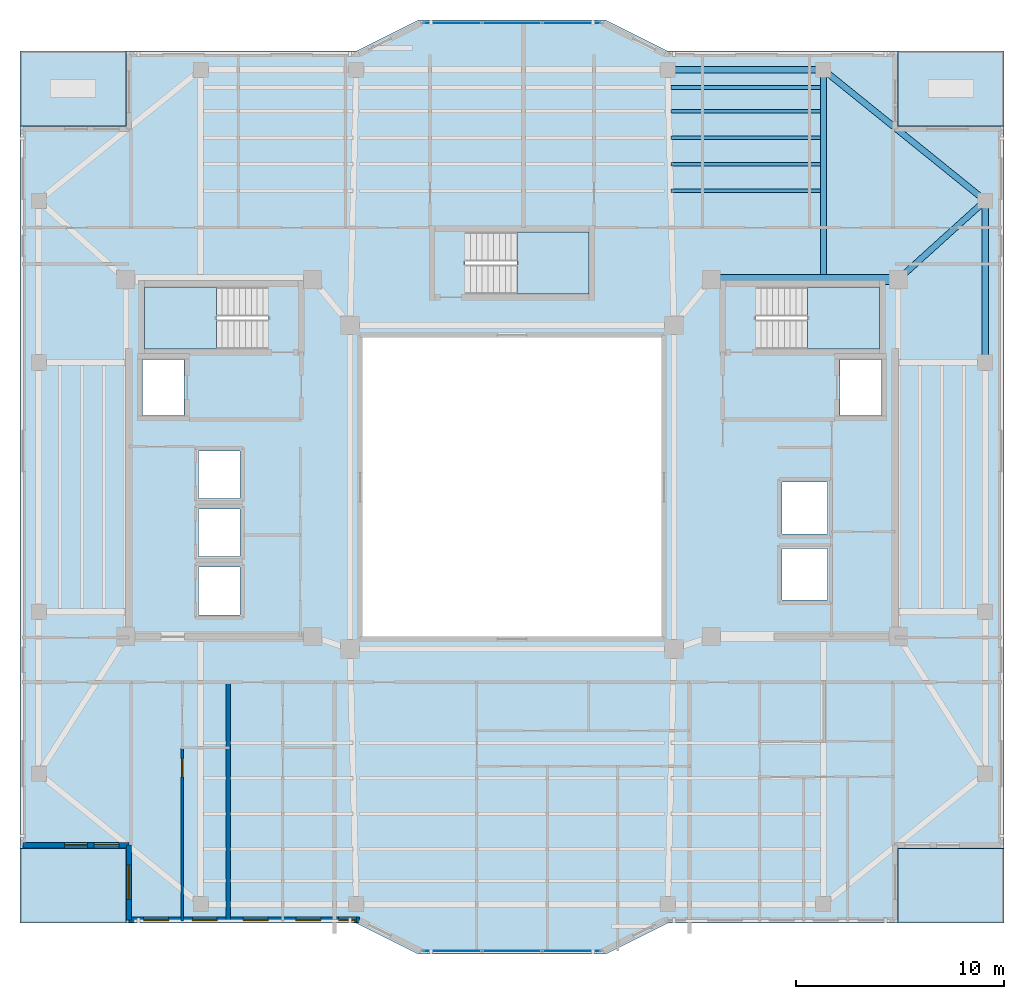
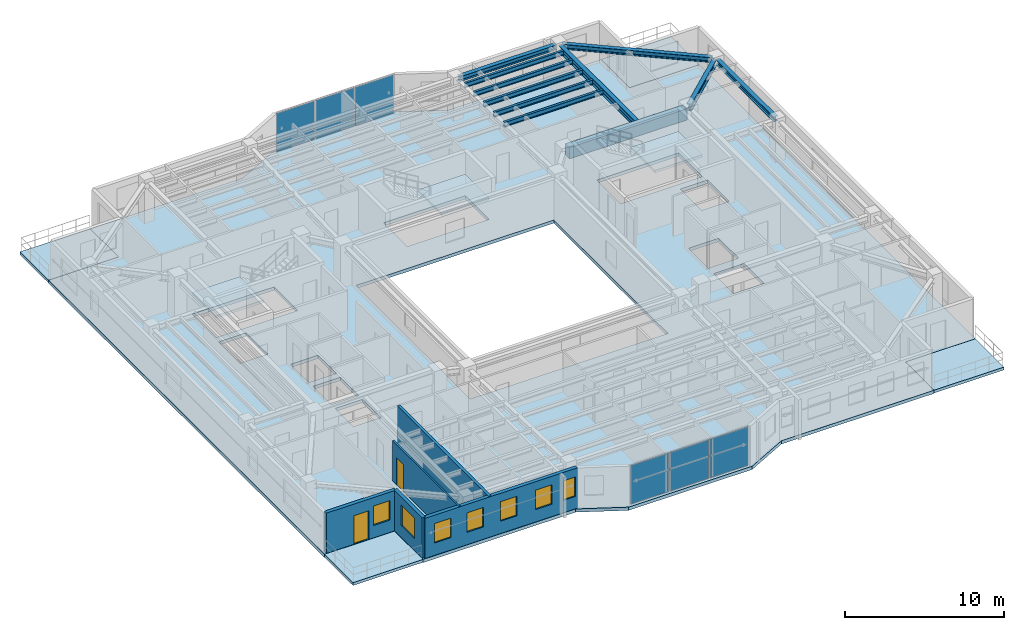
# One storey, part 5 of 15: 11 beams, 8 slabs, 7 windows, 6 plates, 5 walls, 2 doors, 9 openings, 5 elements without a shape of their own.
"""IFC4 building model written with IfcOpenShell, lengths in metres."""

import ifcopenshell
import ifcopenshell.guid

model = None  # the IFC model being written
_history = None  # IfcOwnerHistory: only IFC2X3 demands one
_inside = {}  # id of a spatial element -> (the spatial element, [elements in it])
_under = {}  # id of a project, library or spatial element -> (it, [spatial elements below it])
_declared = {}  # id of a project -> (the project, [libraries it declares])
_typed = {}  # id of a type object -> (the type object, [elements of that type])
_made_of = {}  # id of a material, layer set ... -> (it, [elements and type objects made of it])


def new_model(schema):
    """Start an empty IFC model of exactly this schema.

    Asked for "IFC4X3", IfcOpenShell would pick the latest addendum, in which some entities
    have other attributes; the version numbers below select the first issue.
    IFC2X3 requires an IfcOwnerHistory on every rooted entity: one is made here for all.
    """
    global model, _history
    if schema == "IFC4X3":
        model = ifcopenshell.file(schema_version=(4, 3, 0, 0))
    else:
        model = ifcopenshell.file(schema=schema)
    _inside.clear()
    _under.clear()
    _declared.clear()
    _typed.clear()
    _made_of.clear()
    _history = None
    if model.schema == "IFC2X3":
        org = make("IfcOrganization", Name="unknown")
        user = make(
            "IfcPersonAndOrganization",
            ThePerson=make("IfcPerson", FamilyName="unknown"),
            TheOrganization=org,
        )
        app = make(
            "IfcApplication",
            ApplicationDeveloper=org,
            Version="unknown",
            ApplicationFullName="unknown",
            ApplicationIdentifier="unknown",
        )
        _history = make(
            "IfcOwnerHistory",
            OwningUser=user,
            OwningApplication=app,
            ChangeAction="ADDED",
            CreationDate=0,
        )
    return model


def make(cls, **values):
    """One entity of the class cls with the attributes given. An attribute that is None is left unset."""
    return model.create_entity(
        cls, **{name: value for name, value in values.items() if value is not None}
    )


def rooted(cls, **values):
    """An entity with a GlobalId (a new one), such as an element, a storey or a relation."""
    return make(cls, GlobalId=ifcopenshell.guid.new(), OwnerHistory=_history, **values)


def si_unit(unit_type, name, prefix=None):
    """IfcSIUnit, for example si_unit("LENGTHUNIT", "METRE", prefix="MILLI")."""
    return make("IfcSIUnit", UnitType=unit_type, Prefix=prefix, Name=name)


def assignment(units):
    """IfcUnitAssignment: the units of a project."""
    return None if units is None else make("IfcUnitAssignment", Units=units)


def point(xyz):
    """IfcCartesianPoint."""
    return None if xyz is None else make("IfcCartesianPoint", Coordinates=xyz)


def direction(xyz):
    """IfcDirection."""
    return None if xyz is None else make("IfcDirection", DirectionRatios=xyz)


def frame(location, z_axis=None, x_axis=None):
    """IfcAxis2Placement3D, a coordinate frame: its origin and axes. An axis left out is left unset."""
    return make(
        "IfcAxis2Placement3D",
        Location=point(location),
        Axis=direction(z_axis),
        RefDirection=direction(x_axis),
    )


def frame_2d(location, x_axis=None):
    """IfcAxis2Placement2D, a coordinate frame in the plane: its origin and x axis."""
    return make(
        "IfcAxis2Placement2D", Location=point(location), RefDirection=direction(x_axis)
    )


def origin():
    """The frame at (0, 0, 0) with its axes left unset."""
    return frame((0.0, 0.0, 0.0))


def origin_2d():
    """The frame at (0, 0) in the plane with its x axis left unset."""
    return frame_2d((0.0, 0.0))


def place(relative_to, where):
    """IfcLocalPlacement: puts the frame where relative to a parent placement (None: the world)."""
    return make(
        "IfcLocalPlacement", PlacementRelTo=relative_to, RelativePlacement=where
    )


def context(
    kind, dimensions, precision=None, world=None, true_north=None, identifier=None
):
    """IfcGeometricRepresentationContext, for example the 3D "Model" context."""
    return make(
        "IfcGeometricRepresentationContext",
        ContextIdentifier=identifier,
        ContextType=kind,
        CoordinateSpaceDimension=dimensions,
        Precision=precision,
        WorldCoordinateSystem=world,
        TrueNorth=true_north,
    )


def subcontext(parent, identifier, kind, view, scale=None):
    """IfcGeometricRepresentationSubContext, for example "Body" below "Model"."""
    return make(
        "IfcGeometricRepresentationSubContext",
        ContextIdentifier=identifier,
        ContextType=kind,
        ParentContext=parent,
        TargetScale=scale,
        TargetView=view,
    )


def project(units=None, contexts=None):
    """IfcProject with its units and contexts."""
    return rooted(
        "IfcProject",
        Name="project",
        RepresentationContexts=contexts,
        UnitsInContext=assignment(units),
    )


def spatial(cls, under=None, at=None, **own):
    """A site, building, storey or space (cls), placed at a placement, below another one or the project."""
    s = rooted(cls, ObjectPlacement=at, **own)
    if under is not None:
        _under.setdefault(under.id(), (under, []))[1].append(s)
    return s


def polyline(points):
    """IfcPolyline through the points."""
    return make("IfcPolyline", Points=[point(p) for p in points])


def profile(cls, at=None, kind="AREA", **sizes):
    """A parametric profile (cls). Its sizes go by their IFC names, for example OverallWidth=200.0."""
    return make(cls, ProfileType=kind, Position=at, **sizes)


def rectangle(**sizes):
    """IfcRectangleProfileDef."""
    return profile("IfcRectangleProfileDef", **sizes)


def i_section(**sizes):
    """IfcIShapeProfileDef."""
    return profile("IfcIShapeProfileDef", **sizes)


def outline(outer, holes=None, kind="AREA"):
    """IfcArbitraryClosedProfileDef: a profile drawn as a closed curve; with holes, ...WithVoids."""
    if holes is None:
        return make("IfcArbitraryClosedProfileDef", ProfileType=kind, OuterCurve=outer)
    return make(
        "IfcArbitraryProfileDefWithVoids",
        ProfileType=kind,
        OuterCurve=outer,
        InnerCurves=holes,
    )


def extrude(swept, where, along, depth):
    """IfcExtrudedAreaSolid: the profile swept, set in the frame where, extruded along a direction by depth."""
    return make(
        "IfcExtrudedAreaSolid",
        SweptArea=swept,
        Position=where,
        ExtrudedDirection=direction(along),
        Depth=depth,
    )


def shape(context_of_items, identifier, shape_type, items):
    """IfcShapeRepresentation: the items that make up one representation, for example the "Body"."""
    return make(
        "IfcShapeRepresentation",
        ContextOfItems=context_of_items,
        RepresentationIdentifier=identifier,
        RepresentationType=shape_type,
        Items=items,
    )


def material(Name=None, Category=None):
    """IfcMaterial."""
    return make("IfcMaterial", Name=Name, Category=Category)


def layer(
    of_material, thickness, ventilated=None, Name=None, Category=None, Priority=None
):
    """IfcMaterialLayer: one layer of a wall or slab, of a material (None: an air gap)."""
    return make(
        "IfcMaterialLayer",
        Material=of_material,
        LayerThickness=thickness,
        IsVentilated=ventilated,
        Name=Name,
        Category=Category,
        Priority=Priority,
    )


def layer_set(layers, Name=None):
    """IfcMaterialLayerSet."""
    return make("IfcMaterialLayerSet", MaterialLayers=layers, LayerSetName=Name)


def material_profile(
    of_material, cross_section, Name=None, Category=None, Priority=None
):
    """IfcMaterialProfile: a cross section and its material."""
    return make(
        "IfcMaterialProfile",
        Name=Name,
        Material=of_material,
        Profile=cross_section,
        Priority=Priority,
        Category=Category,
    )


def profile_set(profiles, Name=None, composite=None):
    """IfcMaterialProfileSet."""
    return make(
        "IfcMaterialProfileSet",
        Name=Name,
        MaterialProfiles=profiles,
        CompositeProfile=composite,
    )


def made_of(thing, what):
    """Note that an element or type object is made of a material, layer set ...; save() writes the relation."""
    if what is not None:
        _made_of.setdefault(what.id(), (what, []))[1].append(thing)
    return thing


def type_object(cls, material=None, **own):
    """A type object (cls), such as IfcWallType, which elements share."""
    return made_of(rooted(cls, **own), material)


def element(
    cls,
    number,
    at=None,
    inside=None,
    cuts=None,
    type_object=None,
    material=None,
    context=None,
    identifier="Body",
    shape_type=None,
    held_by="IfcProductDefinitionShape",
    body=None,
    shapes=None,
    **own,
):
    """One element of the class cls, such as IfcWall. Its Tag is "e" and its number.

    at: its placement. inside: the storey or other place that contains it. cuts: it is an
    opening in that element (IfcRelVoidsElement). A single representation is given by context,
    identifier, shape_type and body (its items); several are given by shapes. held_by: the class
    of the entity that holds the representations. save() writes the other relations.
    """
    e = rooted(cls, Tag="e%d" % number, ObjectPlacement=at, **own)
    if body is not None:
        shapes = [shape(context, identifier, shape_type, body)]
    if shapes is not None:
        e.Representation = make(held_by, Representations=shapes)
    if inside is not None:
        _inside.setdefault(inside.id(), (inside, []))[1].append(e)
    if cuts is not None:
        rooted(
            "IfcRelVoidsElement", RelatingBuildingElement=cuts, RelatedOpeningElement=e
        )
    if type_object is not None:
        _typed.setdefault(type_object.id(), (type_object, []))[1].append(e)
    return made_of(e, material)


def fill(opening, filler):
    """IfcRelFillsElement: the door or window that sits in an opening."""
    return rooted(
        "IfcRelFillsElement",
        RelatingOpeningElement=opening,
        RelatedBuildingElement=filler,
    )


def aggregate(whole, parts):
    """IfcRelAggregates: a whole, such as a stair, and the parts it consists of."""
    return rooted("IfcRelAggregates", RelatingObject=whole, RelatedObjects=parts)


def save(model, path):
    """Write the relations noted so far, then the file.

    IfcRelAggregates (storeys below a building ...), IfcRelContainedInSpatialStructure (elements
    in a storey), IfcRelDefinesByType, IfcRelAssociatesMaterial and IfcRelDeclares: one each for
    every whole, place, type object, material and project.
    """
    for whole, parts in _under.values():
        aggregate(whole, parts)
    for where, things in _inside.values():
        rooted(
            "IfcRelContainedInSpatialStructure",
            RelatedElements=things,
            RelatingStructure=where,
        )
    for kind, things in _typed.values():
        rooted("IfcRelDefinesByType", RelatedObjects=things, RelatingType=kind)
    for what, things in _made_of.values():
        rooted("IfcRelAssociatesMaterial", RelatedObjects=things, RelatingMaterial=what)
    for by, libraries in _declared.values():
        rooted("IfcRelDeclares", RelatingContext=by, RelatedDefinitions=libraries)
    model.write(path)


model = new_model("IFC4")

# Units and contexts
model_context = context("Model", 3, precision=1e-05, world=origin(), true_north=direction((0.0, 1.0)))
body_context = subcontext(model_context, "Body", "Model", "MODEL_VIEW")
ifc_project = project(units=[si_unit("LENGTHUNIT", "METRE"), si_unit("AREAUNIT", "SQUARE_METRE"), si_unit("VOLUMEUNIT", "CUBIC_METRE"), si_unit("PLANEANGLEUNIT", "RADIAN"), si_unit("MASSUNIT", "GRAM", prefix="KILO")], contexts=[model_context])

# Site, building, storey
site_placement = place(None, origin())
site = spatial("IfcSite", under=ifc_project, at=site_placement, CompositionType="ELEMENT")
building_placement = place(site_placement, origin())
building = spatial("IfcBuilding", under=site, at=building_placement, Name="Tarnavaz Court Tower", CompositionType="ELEMENT")
storey_placement = place(building_placement, frame((0.0, 0.0, 186.89990234375)))
storey = spatial("IfcBuildingStorey", under=building, at=storey_placement, Name="L50", CompositionType="ELEMENT", Elevation=186.89990234375)

# Beams
ifc_material_1 = material(Name="Concrete C50/60", Category="concrete")
ifc_material_profile_1 = material_profile(ifc_material_1, rectangle(XDim=0.5, YDim=0.85009765625, at=origin_2d()), Name="RC 500X850")
ifc_profile_set_1 = profile_set([ifc_material_profile_1], Name="Concrete C50/60")
beam_type_1 = type_object("IfcBeamType", Name="BM-CB850", PredefinedType="LINTEL", material=ifc_profile_set_1)
beam_1_placement = place(storey_placement, frame((18.3798828125, 10.0, 2.675048828125), z_axis=(-1.0, 0.0, 0.0), x_axis=(0.0, -1.0, 0.0)))
element("IfcBeam", 1, at=beam_1_placement, inside=storey, type_object=beam_type_1, Name="L50 Beam IN-CE-NO-CE-NI", PredefinedType="LINTEL", context=body_context, shape_type="SweptSolid", body=[
    extrude(rectangle(XDim=0.5, YDim=0.85009765625, at=origin_2d()), origin(), (0.0, 0.0, 1.0), 8.559814453125),
])
ifc_material_2 = material(Name="Steel S355", Category="steel")
ifc_material_profile_2 = material_profile(ifc_material_2, i_section(OverallWidth=0.300048828125, OverallDepth=0.5, WebThickness=0.014404296875, FlangeThickness=0.028076171875, FilletRadius=0.027099609375, at=origin_2d()), Name="HEB 500")
ifc_profile_set_2 = profile_set([ifc_material_profile_2], Name="Steel S355")
beam_type_2 = type_object("IfcBeamType", Name="BM-G-HEB500", PredefinedType="USERDEFINED", material=ifc_profile_set_2)
beam_2_placement = place(storey_placement, frame((15.0, 10.0400390625, 2.85009765625), z_axis=(0.0, 1.0, 0.0), x_axis=(-1.0, 0.0, 0.0)))
element("IfcBeam", 2, at=beam_2_placement, inside=storey, type_object=beam_type_2, Name="L50 Beam RG-04", ObjectType="GIRDER", PredefinedType="USERDEFINED", context=body_context, shape_type="SweptSolid", body=[
    extrude(i_section(OverallWidth=0.300048828125, OverallDepth=0.5, WebThickness=0.014404296875, FlangeThickness=0.028076171875, FilletRadius=0.027099609375, at=origin_2d()), origin(), (0.0, 0.0, 1.0), 9.83984375),
])
beam_3_placement = place(storey_placement, frame((18.76318359375, 10.147705078125, 2.85009765625), z_axis=(0.741555708494, 0.670891296113, 0.0), x_axis=(-0.670891296113, 0.741555708494, 0.0)))
element("IfcBeam", 3, at=beam_3_placement, inside=storey, type_object=beam_type_2, Name="L50 Beam RG-12", ObjectType="GIRDER", PredefinedType="USERDEFINED", context=body_context, shape_type="SweptSolid", body=[
    extrude(i_section(OverallWidth=0.300048828125, OverallDepth=0.5, WebThickness=0.014404296875, FlangeThickness=0.028076171875, FilletRadius=0.027099609375, at=origin_2d()), origin(), (0.0, 0.0, 1.0), 5.223876953125),
])
ifc_material_profile_3 = material_profile(ifc_material_2, i_section(OverallWidth=0.169921875, OverallDepth=0.360107421875, WebThickness=0.008056640625, FlangeThickness=0.0126953125, FilletRadius=0.01806640625, at=origin_2d()), Name="IPE 360")
ifc_profile_set_3 = profile_set([ifc_material_profile_3], Name="Steel S355")
beam_type_3 = type_object("IfcBeamType", Name="BM-J-IPE360", PredefinedType="JOIST", material=ifc_profile_set_3)
for number, where, z_axis, x_axis, name in (
    (4, (7.64990234375, 14.278076171875, 2.920166015625), (1.0, 0.0, 0.0), (0.0, 1.0, 0.0), "L50 Beam JN1-3"),
    (5, (7.64990234375, 15.555908203125, 2.920166015625), (1.0, 0.0, 0.0), (0.0, 1.0, 0.0), "L50 Beam JN2-3"),
    (6, (7.64990234375, 16.833984375, 2.920166015625), (1.0, 0.0, 0.0), (0.0, 1.0, 0.0), "L50 Beam JN3-3"),
    (7, (7.64990234375, 18.112060546875, 2.920166015625), (1.0, 0.0, 0.0), (0.0, 1.0, 0.0), "L50 Beam JN4-3"),
    (8, (7.64990234375, 19.248046875, 2.920166015625), (1.0, 0.0, 0.0), (0.0, 1.0, 0.0), "L50 Beam JN5-3"),
):
    element("IfcBeam", number, at=place(storey_placement, frame(where, z_axis=z_axis, x_axis=x_axis)), inside=storey, type_object=beam_type_3, Name=name, PredefinedType="JOIST", context=body_context, shape_type="SweptSolid", body=[
        extrude(i_section(OverallWidth=0.169921875, OverallDepth=0.360107421875, WebThickness=0.008056640625, FlangeThickness=0.0126953125, FilletRadius=0.01806640625, at=origin_2d()), origin(), (0.0, 0.0, 1.0), 7.2001953125),
    ])
ifc_material_profile_4 = material_profile(ifc_material_2, i_section(OverallWidth=0.300048828125, OverallDepth=0.389892578125, WebThickness=0.010986328125, FlangeThickness=0.01904296875, FilletRadius=0.027099609375, at=origin_2d()), Name="HEA 400")
ifc_profile_set_4 = profile_set([ifc_material_profile_4], Name="Steel S355")
beam_type_4 = type_object("IfcBeamType", Name="BM-SP-HEA400", PredefinedType="BEAM", material=ifc_profile_set_4)
beam_4_placement = place(storey_placement, frame((7.719970703125, 20.10009765625, 2.905029296875), z_axis=(1.0, 0.0, 0.0), x_axis=(0.0, 1.0, 0.0)))
element("IfcBeam", 9, at=beam_4_placement, inside=storey, type_object=beam_type_4, Name="L50 Beam PR-PN-3-PN-4", PredefinedType="BEAM", context=body_context, shape_type="SweptSolid", body=[
    extrude(i_section(OverallWidth=0.300048828125, OverallDepth=0.389892578125, WebThickness=0.010986328125, FlangeThickness=0.01904296875, FilletRadius=0.027099609375, at=origin_2d()), origin(), (0.0, 0.0, 1.0), 7.06005859375),
])
beam_5_placement = place(storey_placement, frame((22.800048828125, 6.219970703125, 2.905029296875), z_axis=(0.0, 1.0, 0.0), x_axis=(-1.0, 0.0, 0.0)))
element("IfcBeam", 10, at=beam_5_placement, inside=storey, type_object=beam_type_4, Name="L50 Beam PR-PE-3-PE-4", PredefinedType="BEAM", context=body_context, shape_type="SweptSolid", body=[
    extrude(i_section(OverallWidth=0.300048828125, OverallDepth=0.389892578125, WebThickness=0.010986328125, FlangeThickness=0.01904296875, FilletRadius=0.027099609375, at=origin_2d()), origin(), (0.0, 0.0, 1.0), 7.360107421875),
])
beam_6_placement = place(storey_placement, frame((15.171142578125, 19.9619140625, 2.905029296875), z_axis=(0.777935913531, -0.628343627674, 0.0), x_axis=(0.628343627674, 0.777935913531, 0.0)))
element("IfcBeam", 11, at=beam_6_placement, inside=storey, type_object=beam_type_4, Name="L50 Beam PR-PN-4-PE-4", PredefinedType="BEAM", context=body_context, shape_type="SweptSolid", body=[
    extrude(i_section(OverallWidth=0.300048828125, OverallDepth=0.389892578125, WebThickness=0.010986328125, FlangeThickness=0.01904296875, FilletRadius=0.027099609375, at=origin_2d()), origin(), (0.0, 0.0, 1.0), 9.586669921875),
])

# Curtain wall, plates
ifc_material_3 = material(Name="Anodised Aluminium 6063-T6 and Solar Low-E Glazing", Category="aluminium")
ifc_layer_1 = layer(ifc_material_3, 0.159912109375)
ifc_layer_set_1 = layer_set([ifc_layer_1], Name="Anodised Aluminium 6063-T6 and Solar Low-E Glazing")
curtain_wall_type = type_object("IfcCurtainWallType", Name="CW-SYS-03", PredefinedType="NOTDEFINED", material=ifc_layer_set_1)
curtain_wall_1_placement = place(storey_placement, origin())
curtain_wall_1 = element("IfcCurtainWall", 12, at=curtain_wall_1_placement, inside=storey, type_object=curtain_wall_type, Name="L50 Iwan Prow Curtain Wall 7", PredefinedType="NOTDEFINED")
ifc_material_4 = material(Name="Double-Glazed Solar Low-E Glass", Category="glass")
ifc_layer_2 = layer(ifc_material_4, 0.028076171875)
ifc_layer_set_2 = layer_set([ifc_layer_2], Name="Double-Glazed Solar Low-E Glass")
plate_type = type_object("IfcPlateType", Name="CW-PAN-GLZ28", PredefinedType="CURTAIN_PANEL", material=ifc_layer_set_2)
plate_1_placement = place(storey_placement, frame((-2.88134765625, 22.35009765625, 0.06494140625), z_axis=(0.0, 0.0, 1.0), x_axis=(1.0, 0.0, 0.0)))
plate_1 = element("IfcPlate", 13, at=plate_1_placement, type_object=plate_type, Name="CW panel 1.1", PredefinedType="CURTAIN_PANEL", context=body_context, shape_type="SweptSolid", body=[
    extrude(rectangle(XDim=2.78759765625, YDim=0.028076171875, at=origin_2d()), origin(), (0.0, 0.0, 1.0), 2.969970703125),
])
plate_2_placement = place(storey_placement, frame((0.0, 22.35009765625, 0.06494140625), z_axis=(0.0, 0.0, 1.0), x_axis=(1.0, 0.0, 0.0)))
plate_2 = element("IfcPlate", 14, at=plate_2_placement, type_object=plate_type, Name="CW panel 2.1", PredefinedType="CURTAIN_PANEL", context=body_context, shape_type="SweptSolid", body=[
    extrude(rectangle(XDim=2.824951171875, YDim=0.028076171875, at=origin_2d()), origin(), (0.0, 0.0, 1.0), 2.969970703125),
])
plate_3_placement = place(storey_placement, frame((2.88134765625, 22.35009765625, 0.06494140625), z_axis=(0.0, 0.0, 1.0), x_axis=(1.0, 0.0, 0.0)))
plate_3 = element("IfcPlate", 15, at=plate_3_placement, type_object=plate_type, Name="CW panel 3.1", PredefinedType="CURTAIN_PANEL", context=body_context, shape_type="SweptSolid", body=[
    extrude(rectangle(XDim=2.78759765625, YDim=0.028076171875, at=origin_2d()), origin(), (0.0, 0.0, 1.0), 2.969970703125),
])
aggregate(curtain_wall_1, [plate_1, plate_2, plate_3])

curtain_wall_2_placement = place(storey_placement, origin())
curtain_wall_2 = element("IfcCurtainWall", 16, at=curtain_wall_2_placement, inside=storey, type_object=curtain_wall_type, Name="L50 Iwan Prow Curtain Wall 17", PredefinedType="NOTDEFINED")
plate_4_placement = place(storey_placement, frame((2.88134765625, -22.35009765625, 0.06494140625), z_axis=(0.0, 0.0, 1.0), x_axis=(-1.0, 0.0, 0.0)))
plate_4 = element("IfcPlate", 17, at=plate_4_placement, type_object=plate_type, Name="CW panel 1.1", PredefinedType="CURTAIN_PANEL", context=body_context, shape_type="SweptSolid", body=[
    extrude(rectangle(XDim=2.78759765625, YDim=0.028076171875, at=origin_2d()), origin(), (0.0, 0.0, 1.0), 2.969970703125),
])
plate_5_placement = place(storey_placement, frame((0.0, -22.35009765625, 0.06494140625), z_axis=(0.0, 0.0, 1.0), x_axis=(-1.0, 0.0, 0.0)))
plate_5 = element("IfcPlate", 18, at=plate_5_placement, type_object=plate_type, Name="CW panel 2.1", PredefinedType="CURTAIN_PANEL", context=body_context, shape_type="SweptSolid", body=[
    extrude(rectangle(XDim=2.824951171875, YDim=0.028076171875, at=origin_2d()), origin(), (0.0, 0.0, 1.0), 2.969970703125),
])
plate_6_placement = place(storey_placement, frame((-2.88134765625, -22.35009765625, 0.06494140625), z_axis=(0.0, 0.0, 1.0), x_axis=(-1.0, 0.0, 0.0)))
plate_6 = element("IfcPlate", 19, at=plate_6_placement, type_object=plate_type, Name="CW panel 3.1", PredefinedType="CURTAIN_PANEL", context=body_context, shape_type="SweptSolid", body=[
    extrude(rectangle(XDim=2.78759765625, YDim=0.028076171875, at=origin_2d()), origin(), (0.0, 0.0, 1.0), 2.969970703125),
])
aggregate(curtain_wall_2, [plate_4, plate_5, plate_6])

# Stair, slab
ifc_material_5 = material(Name="Concrete C40/50", Category="concrete")
stair_type = type_object("IfcStairType", Name="ST-TWR-20R", PredefinedType="HALF_TURN_STAIR", material=ifc_material_5)
stair_1_placement = place(storey_placement, origin())
stair_1 = element("IfcStair", 20, at=stair_1_placement, inside=storey, type_object=stair_type, Name="L50 West Core Pressurized Exit Stair ST-W1", PredefinedType="HALF_TURN_STAIR")
ifc_layer_3 = layer(ifc_material_5, 0.199951171875)
ifc_layer_set_3 = layer_set([ifc_layer_3], Name="Concrete C40/50")
slab_type_1 = type_object("IfcSlabType", Name="SL-LAND-200", PredefinedType="LANDING", material=ifc_layer_set_3)
slab_1_placement = place(storey_placement, frame((0.0, 0.0, 1.47509765625)))
slab_1 = element("IfcSlab", 21, at=slab_1_placement, type_object=slab_type_1, Name="ST-W1 landing 1", PredefinedType="LANDING", context=body_context, shape_type="SweptSolid", body=[
    extrude(outline(polyline([(-14.239990234375, 9.639892578125), (-17.699951171875, 9.639892578125), (-17.699951171875, 6.64990234375), (-14.239990234375, 6.64990234375), (-14.239990234375, 9.639892578125)])), origin(), (0.0, 0.0, 1.0), 0.199951171875),
])
aggregate(stair_1, [slab_1])

stair_2_placement = place(storey_placement, origin())
stair_2 = element("IfcStair", 22, at=stair_2_placement, inside=storey, type_object=stair_type, Name="L50 East Core Pressurized Exit Stair ST-E1", PredefinedType="HALF_TURN_STAIR")
slab_2_placement = place(storey_placement, frame((0.0, 0.0, 1.47509765625)))
slab_2 = element("IfcSlab", 23, at=slab_2_placement, type_object=slab_type_1, Name="ST-E1 landing 1", PredefinedType="LANDING", context=body_context, shape_type="SweptSolid", body=[
    extrude(outline(polyline([(14.239990234375, 6.64990234375), (17.699951171875, 6.64990234375), (17.699951171875, 9.639892578125), (14.239990234375, 9.639892578125), (14.239990234375, 6.64990234375)])), origin(), (0.0, 0.0, 1.0), 0.199951171875),
])
aggregate(stair_2, [slab_2])

stair_3_placement = place(storey_placement, origin())
stair_3 = element("IfcStair", 24, at=stair_3_placement, inside=storey, type_object=stair_type, Name="L50 North Ring Pressurized Exit Stair ST-N1", PredefinedType="HALF_TURN_STAIR")
slab_3_placement = place(storey_placement, frame((0.0, 0.0, 1.47509765625)))
slab_3 = element("IfcSlab", 25, at=slab_3_placement, type_object=slab_type_1, Name="ST-N1 landing 1", PredefinedType="LANDING", context=body_context, shape_type="SweptSolid", body=[
    extrude(outline(polyline([(0.239990234375, 9.300048828125), (3.699951171875, 9.300048828125), (3.699951171875, 12.2900390625), (0.239990234375, 12.2900390625), (0.239990234375, 9.300048828125)])), origin(), (0.0, 0.0, 1.0), 0.199951171875),
])
aggregate(stair_3, [slab_3])

# Slabs
ifc_layer_4 = layer(ifc_material_5, 0.25)
ifc_layer_set_4 = layer_set([ifc_layer_4], Name="Concrete C40/50")
slab_type_2 = type_object("IfcSlabType", Name="SL-RES-250", PredefinedType="FLOOR", material=ifc_layer_set_4)
slab_4_placement = place(storey_placement, frame((0.0, 0.0, -0.25)))
element("IfcSlab", 26, at=slab_4_placement, inside=storey, type_object=slab_type_2, Name="L50 Structural Floor Slab", PredefinedType="FLOOR", context=body_context, shape_type="SweptSolid", body=[
    extrude(outline(polyline([(-18.60009765625, -21.0), (-7.5, -21.0), (-4.5, -22.5), (4.5, -22.5), (7.5, -21.0), (18.60009765625, -21.0), (18.60009765625, -17.39990234375), (23.699951171875, -17.39990234375), (23.699951171875, 17.39990234375), (18.60009765625, 17.39990234375), (18.60009765625, 21.0), (7.5, 21.0), (4.5, 22.5), (-4.5, 22.5), (-7.5, 21.0), (-18.60009765625, 21.0), (-18.60009765625, 17.39990234375), (-23.699951171875, 17.39990234375), (-23.699951171875, -17.39990234375), (-18.60009765625, -17.39990234375), (-18.60009765625, -21.0)]), holes=[polyline([(-7.199951171875, -7.199951171875), (7.199951171875, -7.199951171875), (7.199951171875, 7.199951171875), (-7.199951171875, 7.199951171875), (-7.199951171875, -7.199951171875)]), polyline([(-11.7451171875, 9.639892578125), (-17.699951171875, 9.639892578125), (-17.699951171875, 6.64990234375), (-11.7451171875, 6.64990234375), (-11.7451171875, 9.639892578125)]), polyline([(11.7451171875, 6.64990234375), (17.699951171875, 6.64990234375), (17.699951171875, 9.639892578125), (11.7451171875, 9.639892578125), (11.7451171875, 6.64990234375)]), polyline([(-2.2548828125, 9.300048828125), (3.699951171875, 9.300048828125), (3.699951171875, 12.2900390625), (-2.2548828125, 12.2900390625), (-2.2548828125, 9.300048828125)]), polyline([(-17.800048828125, 3.449951171875), (-15.800048828125, 3.449951171875), (-15.800048828125, 6.14990234375), (-17.800048828125, 6.14990234375), (-17.800048828125, 3.449951171875)]), polyline([(-15.10009765625, -6.14990234375), (-13.10009765625, -6.14990234375), (-13.10009765625, -3.85009765625), (-15.10009765625, -3.85009765625), (-15.10009765625, -6.14990234375)]), polyline([(-15.10009765625, -3.35009765625), (-13.10009765625, -3.35009765625), (-13.10009765625, -1.050048828125), (-15.10009765625, -1.050048828125), (-15.10009765625, -3.35009765625)]), polyline([(-15.10009765625, -0.550048828125), (-13.10009765625, -0.550048828125), (-13.10009765625, 1.75), (-15.10009765625, 1.75), (-15.10009765625, -0.550048828125)]), polyline([(15.800048828125, 3.449951171875), (17.800048828125, 3.449951171875), (17.800048828125, 6.14990234375), (15.800048828125, 6.14990234375), (15.800048828125, 3.449951171875)]), polyline([(13.0, -5.449951171875), (15.199951171875, -5.449951171875), (15.199951171875, -2.949951171875), (13.0, -2.949951171875), (13.0, -5.449951171875)]), polyline([(13.0, -2.25), (15.199951171875, -2.25), (15.199951171875, 0.25), (13.0, 0.25), (13.0, -2.25)])]), origin(), (0.0, 0.0, 1.0), 0.25),
])
ifc_layer_5 = layer(ifc_material_5, 0.219970703125)
ifc_layer_set_5 = layer_set([ifc_layer_5], Name="Concrete C40/50")
slab_type_3 = type_object("IfcSlabType", Name="SL-TERR-220", PredefinedType="FLOOR", material=ifc_layer_set_5)
slab_5_placement = place(storey_placement, frame((0.0, 0.0, -0.219970703125)))
element("IfcSlab", 27, at=slab_5_placement, inside=storey, type_object=slab_type_3, Name="L50 NE Planted Sky Terrace", PredefinedType="FLOOR", context=body_context, shape_type="SweptSolid", body=[
    extrude(outline(polyline([(18.60009765625, 17.39990234375), (23.699951171875, 17.39990234375), (23.699951171875, 21.0), (18.60009765625, 21.0), (18.60009765625, 17.39990234375)])), origin(), (0.0, 0.0, 1.0), 0.219970703125),
])
slab_6_placement = place(storey_placement, frame((0.0, 0.0, -0.219970703125)))
element("IfcSlab", 28, at=slab_6_placement, inside=storey, type_object=slab_type_3, Name="L50 NW Planted Sky Terrace", PredefinedType="FLOOR", context=body_context, shape_type="SweptSolid", body=[
    extrude(outline(polyline([(-23.699951171875, 17.39990234375), (-18.60009765625, 17.39990234375), (-18.60009765625, 21.0), (-23.699951171875, 21.0), (-23.699951171875, 17.39990234375)])), origin(), (0.0, 0.0, 1.0), 0.219970703125),
])
slab_7_placement = place(storey_placement, frame((0.0, 0.0, -0.219970703125)))
element("IfcSlab", 29, at=slab_7_placement, inside=storey, type_object=slab_type_3, Name="L50 SE Planted Sky Terrace", PredefinedType="FLOOR", context=body_context, shape_type="SweptSolid", body=[
    extrude(outline(polyline([(18.60009765625, -21.0), (23.699951171875, -21.0), (23.699951171875, -17.39990234375), (18.60009765625, -17.39990234375), (18.60009765625, -21.0)])), origin(), (0.0, 0.0, 1.0), 0.219970703125),
])
slab_8_placement = place(storey_placement, frame((0.0, 0.0, -0.219970703125)))
element("IfcSlab", 30, at=slab_8_placement, inside=storey, type_object=slab_type_3, Name="L50 SW Planted Sky Terrace", PredefinedType="FLOOR", context=body_context, shape_type="SweptSolid", body=[
    extrude(outline(polyline([(-23.699951171875, -21.0), (-18.60009765625, -21.0), (-18.60009765625, -17.39990234375), (-23.699951171875, -17.39990234375), (-23.699951171875, -21.0)])), origin(), (0.0, 0.0, 1.0), 0.219970703125),
])

# Wall, openings, door, window
ifc_material_6 = material(Name="Precast Concrete C40/50", Category="concrete")
ifc_layer_6 = layer(ifc_material_6, 0.260009765625)
ifc_layer_set_6 = layer_set([ifc_layer_6], Name="Precast Concrete C40/50")
wall_type_1 = type_object("IfcWallType", Name="WL-EXT-260", PredefinedType="SOLIDWALL", material=ifc_layer_set_6)
wall_1_placement = place(storey_placement, frame((-18.449951171875, -17.25, 0.0), z_axis=(0.0, 0.0, 1.0), x_axis=(-1.0, 0.0, 0.0)))
wall_1 = element("IfcWall", 31, at=wall_1_placement, inside=storey, type_object=wall_type_1, Name="L50 Exterior Terracotta Facade Wall 01", PredefinedType="SOLIDWALL", context=body_context, shape_type="SweptSolid", body=[
    extrude(rectangle(XDim=5.10009765625, YDim=0.260009765625, at=frame_2d((2.550048828125, 0.0))), origin(), (0.0, 0.0, 1.0), 3.10009765625),
])
opening_1_placement = place(wall_1_placement, frame((2.0, 0.0, 0.0)))
opening_1 = element("IfcOpeningElement", 32, at=opening_1_placement, cuts=wall_1, Name="Opening TD1", PredefinedType="OPENING", context=body_context, shape_type="SweptSolid", body=[
    extrude(rectangle(XDim=1.10009765625, YDim=2.199951171875, at=frame_2d((0.550048828125, 1.10009765625))), frame((0.0, 0.139892578125, 0.0), z_axis=(0.0, -1.0, 0.0), x_axis=(1.0, 0.0, 0.0)), (0.0, 0.0, 1.0), 0.280029296875),
])
opening_2_placement = place(wall_1_placement, frame((0.47998046875, 0.0, 0.949951171875)))
opening_2 = element("IfcOpeningElement", 33, at=opening_2_placement, cuts=wall_1, Name="Opening W05", PredefinedType="OPENING", context=body_context, shape_type="SweptSolid", body=[
    extrude(rectangle(XDim=1.199951171875, YDim=1.5, at=frame_2d((0.60009765625, 0.75))), frame((0.0, 0.139892578125, 0.0), z_axis=(0.0, -1.0, 0.0), x_axis=(1.0, 0.0, 0.0)), (0.0, 0.0, 1.0), 0.280029296875),
])
ifc_material_7 = material(Name="Thermally Broken Aluminium and Laminated Glass", Category="aluminium")
door_type_1 = type_object("IfcDoorType", Name="DR-TERR-1100", OperationType="NOTDEFINED", PredefinedType="DOOR", material=ifc_material_7)
door_1_placement = place(opening_1_placement, origin())
door_1 = element("IfcDoor", 34, at=door_1_placement, inside=storey, type_object=door_type_1, Name="L50 Sky Terrace Access Door 4", OperationType="SINGLE_SWING_RIGHT", OverallHeight=2.199951171875, OverallWidth=1.10009765625, PredefinedType="DOOR", context=body_context, shape_type="SweptSolid", body=[
    extrude(rectangle(XDim=1.10009765625, YDim=2.199951171875, at=frame_2d((0.550048828125, 1.10009765625))), frame((0.0, 0.02490234375, 0.0), z_axis=(0.0, -1.0, 0.0), x_axis=(1.0, 0.0, 0.0)), (0.0, 0.0, 1.0), 0.050048828125),
])
fill(opening_1, door_1)
window_type_1 = type_object("IfcWindowType", Name="WN-APT-1200", PartitioningType="SINGLE_PANEL", PredefinedType="WINDOW", material=ifc_material_4)
window_1_placement = place(opening_2_placement, origin())
window_1 = element("IfcWindow", 35, at=window_1_placement, inside=storey, type_object=window_type_1, Name="L50 South-West Corner Reading Room Window", OverallHeight=1.5, OverallWidth=1.199951171875, PartitioningType="SINGLE_PANEL", PredefinedType="WINDOW", context=body_context, shape_type="SweptSolid", body=[
    extrude(rectangle(XDim=1.199951171875, YDim=1.5, at=frame_2d((0.60009765625, 0.75))), frame((0.0, 0.030029296875, 0.0), z_axis=(0.0, -1.0, 0.0), x_axis=(1.0, 0.0, 0.0)), (0.0, 0.0, 1.0), 0.06005859375),
])
fill(opening_2, window_1)

# Wall, openings, windows
wall_2_placement = place(storey_placement, frame((-7.35009765625, -20.85009765625, 0.0), z_axis=(0.0, 0.0, 1.0), x_axis=(-1.0, 0.0, 0.0)))
wall_2 = element("IfcWall", 36, at=wall_2_placement, inside=storey, type_object=wall_type_1, Name="L50 Exterior Terracotta Facade Wall 19", PredefinedType="SOLIDWALL", context=body_context, shape_type="SweptSolid", body=[
    extrude(rectangle(XDim=11.099853515625, YDim=0.260009765625, at=frame_2d((5.5498046875, 0.0))), origin(), (0.0, 0.0, 1.0), 3.10009765625),
])
opening_3_placement = place(wall_2_placement, frame((0.1474609375, 0.0, 0.949951171875)))
opening_3 = element("IfcOpeningElement", 37, at=opening_3_placement, cuts=wall_2, Name="Opening W15", PredefinedType="OPENING", context=body_context, shape_type="SweptSolid", body=[
    extrude(rectangle(XDim=0.85009765625, YDim=1.5, at=frame_2d((0.425048828125, 0.75))), frame((0.0, 0.139892578125, 0.0), z_axis=(0.0, -1.0, 0.0), x_axis=(1.0, 0.0, 0.0)), (0.0, 0.0, 1.0), 0.280029296875),
])
opening_4_placement = place(wall_2_placement, frame((1.861083984375, 0.0, 0.949951171875)))
opening_4 = element("IfcOpeningElement", 38, at=opening_4_placement, cuts=wall_2, Name="Opening W05", PredefinedType="OPENING", context=body_context, shape_type="SweptSolid", body=[
    extrude(rectangle(XDim=1.199951171875, YDim=1.5, at=frame_2d((0.60009765625, 0.75))), frame((0.0, 0.139892578125, 0.0), z_axis=(0.0, -1.0, 0.0), x_axis=(1.0, 0.0, 0.0)), (0.0, 0.0, 1.0), 0.280029296875),
])
opening_5_placement = place(wall_2_placement, frame((4.3974609375, 0.0, 0.949951171875)))
opening_5 = element("IfcOpeningElement", 39, at=opening_5_placement, cuts=wall_2, Name="Opening W05", PredefinedType="OPENING", context=body_context, shape_type="SweptSolid", body=[
    extrude(rectangle(XDim=1.199951171875, YDim=1.5, at=frame_2d((0.60009765625, 0.75))), frame((0.0, 0.139892578125, 0.0), z_axis=(0.0, -1.0, 0.0), x_axis=(1.0, 0.0, 0.0)), (0.0, 0.0, 1.0), 0.280029296875),
])
opening_6_placement = place(wall_2_placement, frame((6.85009765625, 0.0, 0.949951171875)))
opening_6 = element("IfcOpeningElement", 40, at=opening_6_placement, cuts=wall_2, Name="Opening W05", PredefinedType="OPENING", context=body_context, shape_type="SweptSolid", body=[
    extrude(rectangle(XDim=1.199951171875, YDim=1.5, at=frame_2d((0.60009765625, 0.75))), frame((0.0, 0.139892578125, 0.0), z_axis=(0.0, -1.0, 0.0), x_axis=(1.0, 0.0, 0.0)), (0.0, 0.0, 1.0), 0.280029296875),
])
opening_7_placement = place(wall_2_placement, frame((9.194091796875, 0.0, 0.949951171875)))
opening_7 = element("IfcOpeningElement", 41, at=opening_7_placement, cuts=wall_2, Name="Opening W05", PredefinedType="OPENING", context=body_context, shape_type="SweptSolid", body=[
    extrude(rectangle(XDim=1.199951171875, YDim=1.5, at=frame_2d((0.60009765625, 0.75))), frame((0.0, 0.139892578125, 0.0), z_axis=(0.0, -1.0, 0.0), x_axis=(1.0, 0.0, 0.0)), (0.0, 0.0, 1.0), 0.280029296875),
])
window_2_placement = place(opening_4_placement, origin())
window_2 = element("IfcWindow", 42, at=window_2_placement, inside=storey, type_object=window_type_1, Name="L50 Flat 02 Kitchen Window", OverallHeight=1.5, OverallWidth=1.199951171875, PartitioningType="SINGLE_PANEL", PredefinedType="WINDOW", context=body_context, shape_type="SweptSolid", body=[
    extrude(rectangle(XDim=1.199951171875, YDim=1.5, at=frame_2d((0.60009765625, 0.75))), frame((0.0, 0.030029296875, 0.0), z_axis=(0.0, -1.0, 0.0), x_axis=(1.0, 0.0, 0.0)), (0.0, 0.0, 1.0), 0.06005859375),
])
fill(opening_4, window_2)
window_3_placement = place(opening_5_placement, origin())
window_3 = element("IfcWindow", 43, at=window_3_placement, inside=storey, type_object=window_type_1, Name="L50 Flat 02 Studio Living and Sleeping Room Window", OverallHeight=1.5, OverallWidth=1.199951171875, PartitioningType="SINGLE_PANEL", PredefinedType="WINDOW", context=body_context, shape_type="SweptSolid", body=[
    extrude(rectangle(XDim=1.199951171875, YDim=1.5, at=frame_2d((0.60009765625, 0.75))), frame((0.0, 0.030029296875, 0.0), z_axis=(0.0, -1.0, 0.0), x_axis=(1.0, 0.0, 0.0)), (0.0, 0.0, 1.0), 0.06005859375),
])
fill(opening_5, window_3)
window_4_placement = place(opening_6_placement, origin())
window_4 = element("IfcWindow", 44, at=window_4_placement, inside=storey, type_object=window_type_1, Name="L50 Flat 01 Kitchen Window", OverallHeight=1.5, OverallWidth=1.199951171875, PartitioningType="SINGLE_PANEL", PredefinedType="WINDOW", context=body_context, shape_type="SweptSolid", body=[
    extrude(rectangle(XDim=1.199951171875, YDim=1.5, at=frame_2d((0.60009765625, 0.75))), frame((0.0, 0.030029296875, 0.0), z_axis=(0.0, -1.0, 0.0), x_axis=(1.0, 0.0, 0.0)), (0.0, 0.0, 1.0), 0.06005859375),
])
fill(opening_6, window_4)
window_5_placement = place(opening_7_placement, origin())
window_5 = element("IfcWindow", 45, at=window_5_placement, inside=storey, type_object=window_type_1, Name="L50 Flat 01 Studio Living and Sleeping Room Window", OverallHeight=1.5, OverallWidth=1.199951171875, PartitioningType="SINGLE_PANEL", PredefinedType="WINDOW", context=body_context, shape_type="SweptSolid", body=[
    extrude(rectangle(XDim=1.199951171875, YDim=1.5, at=frame_2d((0.60009765625, 0.75))), frame((0.0, 0.030029296875, 0.0), z_axis=(0.0, -1.0, 0.0), x_axis=(1.0, 0.0, 0.0)), (0.0, 0.0, 1.0), 0.06005859375),
])
fill(opening_7, window_5)
window_type_2 = type_object("IfcWindowType", Name="WN-APT-850", PartitioningType="SINGLE_PANEL", PredefinedType="WINDOW", material=ifc_material_4)
window_6_placement = place(opening_3_placement, origin())
window_6 = element("IfcWindow", 46, at=window_6_placement, inside=storey, type_object=window_type_2, Name="L50 Flat 04 Living and Dining Room Window", OverallHeight=1.5, OverallWidth=0.85009765625, PartitioningType="SINGLE_PANEL", PredefinedType="WINDOW", context=body_context, shape_type="SweptSolid", body=[
    extrude(rectangle(XDim=0.85009765625, YDim=1.5, at=frame_2d((0.425048828125, 0.75))), frame((0.0, 0.030029296875, 0.0), z_axis=(0.0, -1.0, 0.0), x_axis=(1.0, 0.0, 0.0)), (0.0, 0.0, 1.0), 0.06005859375),
])
fill(opening_3, window_6)

# Wall, opening, window
wall_3_placement = place(storey_placement, frame((-18.449951171875, -20.85009765625, 0.0), z_axis=(0.0, 0.0, 1.0), x_axis=(0.0, 1.0, 0.0)))
wall_3 = element("IfcWall", 47, at=wall_3_placement, inside=storey, type_object=wall_type_1, Name="L50 Exterior Terracotta Facade Wall 20", PredefinedType="SOLIDWALL", context=body_context, shape_type="SweptSolid", body=[
    extrude(rectangle(XDim=3.60009765625, YDim=0.260009765625, at=frame_2d((1.800048828125, 0.0))), origin(), (0.0, 0.0, 1.0), 3.10009765625),
])
opening_8_placement = place(wall_3_placement, frame((0.992431640625, 0.0, 0.89990234375)))
opening_8 = element("IfcOpeningElement", 48, at=opening_8_placement, cuts=wall_3, Name="Opening W02", PredefinedType="OPENING", context=body_context, shape_type="SweptSolid", body=[
    extrude(rectangle(XDim=1.64990234375, YDim=1.60009765625, at=frame_2d((0.824951171875, 0.800048828125))), frame((0.0, 0.139892578125, 0.0), z_axis=(0.0, -1.0, 0.0), x_axis=(1.0, 0.0, 0.0)), (0.0, 0.0, 1.0), 0.280029296875),
])
window_type_3 = type_object("IfcWindowType", Name="WN-APT-1650", PartitioningType="DOUBLE_PANEL_VERTICAL", PredefinedType="WINDOW", material=ifc_material_4)
window_7_placement = place(opening_8_placement, origin())
window_7 = element("IfcWindow", 49, at=window_7_placement, inside=storey, type_object=window_type_3, Name="L50 Flat 01 Studio Living and Sleeping Room Window", OverallHeight=1.60009765625, OverallWidth=1.64990234375, PartitioningType="SINGLE_PANEL", PredefinedType="WINDOW", context=body_context, shape_type="SweptSolid", body=[
    extrude(rectangle(XDim=1.64990234375, YDim=1.60009765625, at=frame_2d((0.824951171875, 0.800048828125))), frame((0.0, 0.030029296875, 0.0), z_axis=(0.0, -1.0, 0.0), x_axis=(1.0, 0.0, 0.0)), (0.0, 0.0, 1.0), 0.06005859375),
])
fill(opening_8, window_7)

# Wall
ifc_material_8 = material(Name="Autoclaved Aerated Concrete Blockwork", Category="masonry")
ifc_layer_7 = layer(ifc_material_8, 0.199951171875)
ifc_layer_set_7 = layer_set([ifc_layer_7], Name="Autoclaved Aerated Concrete Blockwork")
wall_type_2 = type_object("IfcWallType", Name="WL-FIRE-200", PredefinedType="SOLIDWALL", material=ifc_layer_set_7)
wall_4_placement = place(storey_placement, frame((-13.669921875, -20.89990234375, 0.0), z_axis=(0.0, 0.0, 1.0), x_axis=(0.0, 1.0, 0.0)))
element("IfcWall", 50, at=wall_4_placement, inside=storey, type_object=wall_type_2, Name="L50 Party Wall 067", PredefinedType="SOLIDWALL", context=body_context, shape_type="SweptSolid", body=[
    extrude(rectangle(XDim=11.5, YDim=0.199951171875, at=frame_2d((5.75, 0.0))), origin(), (0.0, 0.0, 1.0), 3.10009765625),
])

# Wall, opening, door
ifc_material_9 = material(Name="Moisture-Resistant Gypsum Board Partition", Category="masonry")
ifc_layer_8 = layer(ifc_material_9, 0.1201171875)
ifc_layer_set_8 = layer_set([ifc_layer_8], Name="Moisture-Resistant Gypsum Board Partition")
wall_type_3 = type_object("IfcWallType", Name="WL-PART-120", PredefinedType="PARTITIONING", material=ifc_layer_set_8)
wall_5_placement = place(storey_placement, frame((-15.889892578125, -20.89990234375, 0.0), z_axis=(0.0, 0.0, 1.0), x_axis=(0.0, 1.0, 0.0)))
wall_5 = element("IfcWall", 51, at=wall_5_placement, inside=storey, type_object=wall_type_3, Name="L50 Interior Partition 068", PredefinedType="PARTITIONING", context=body_context, shape_type="SweptSolid", body=[
    extrude(rectangle(XDim=8.33984375, YDim=0.1201171875, at=frame_2d((4.169921875, 0.0))), origin(), (0.0, 0.0, 1.0), 3.10009765625),
])
opening_9_placement = place(wall_5_placement, frame((6.93994140625, 0.0, 0.0)))
opening_9 = element("IfcOpeningElement", 52, at=opening_9_placement, cuts=wall_5, Name="Opening D14", PredefinedType="OPENING", context=body_context, shape_type="SweptSolid", body=[
    extrude(rectangle(XDim=0.8798828125, YDim=2.10009765625, at=frame_2d((0.43994140625, 1.050048828125))), frame((0.0, 0.070068359375, 0.0), z_axis=(0.0, -1.0, 0.0), x_axis=(1.0, 0.0, 0.0)), (0.0, 0.0, 1.0), 0.14013671875),
])
ifc_material_10 = material(Name="Engineered Oak Timber", Category="wood")
door_type_2 = type_object("IfcDoorType", Name="DR-INT-900", OperationType="NOTDEFINED", PredefinedType="DOOR", material=ifc_material_10)
door_2_placement = place(opening_9_placement, origin())
door_2 = element("IfcDoor", 53, at=door_2_placement, inside=storey, type_object=door_type_2, Name="L50 Flat 01 Kitchen Door", OperationType="SINGLE_SWING_LEFT", OverallHeight=2.10009765625, OverallWidth=0.8798828125, PredefinedType="DOOR", context=body_context, shape_type="SweptSolid", body=[
    extrude(rectangle(XDim=0.8798828125, YDim=2.10009765625, at=frame_2d((0.43994140625, 1.050048828125))), frame((0.0, 0.02490234375, 0.0), z_axis=(0.0, -1.0, 0.0), x_axis=(1.0, 0.0, 0.0)), (0.0, 0.0, 1.0), 0.050048828125),
])
fill(opening_9, door_2)

save(model, "model.ifc")
